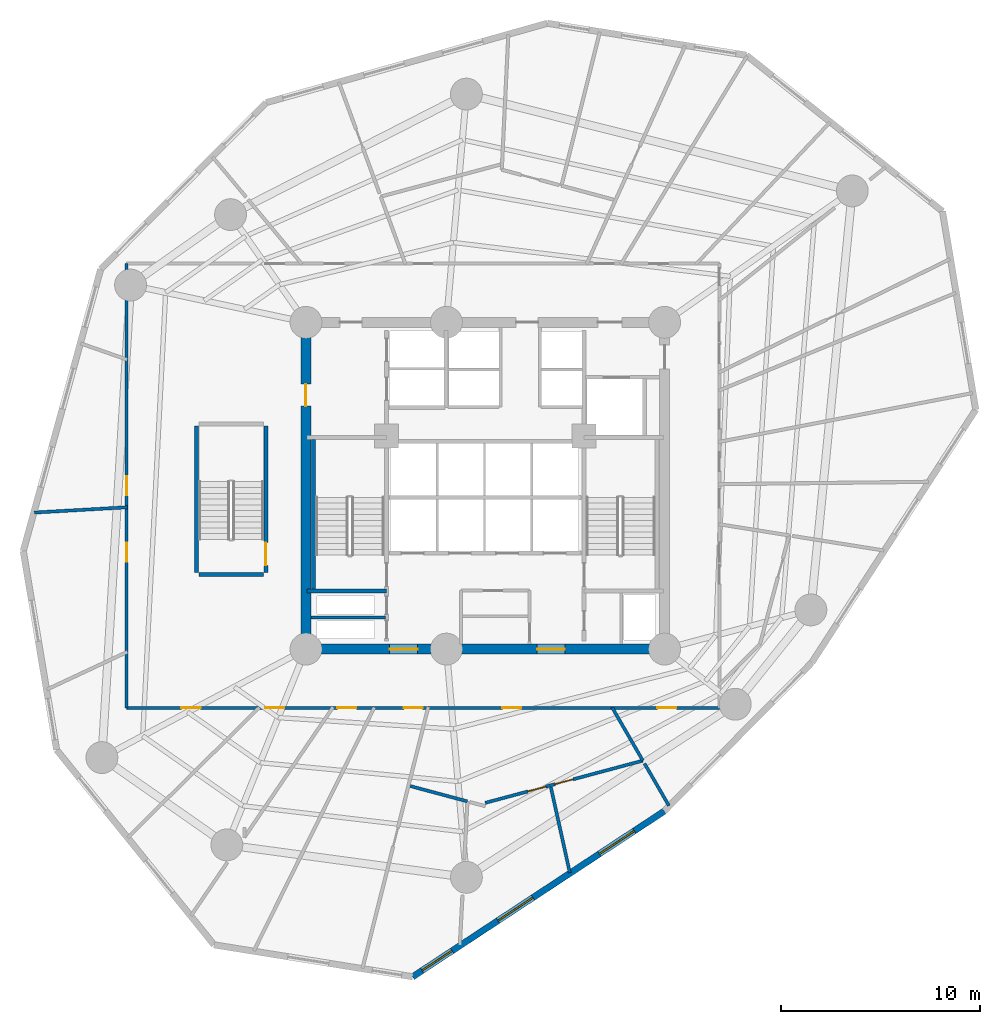
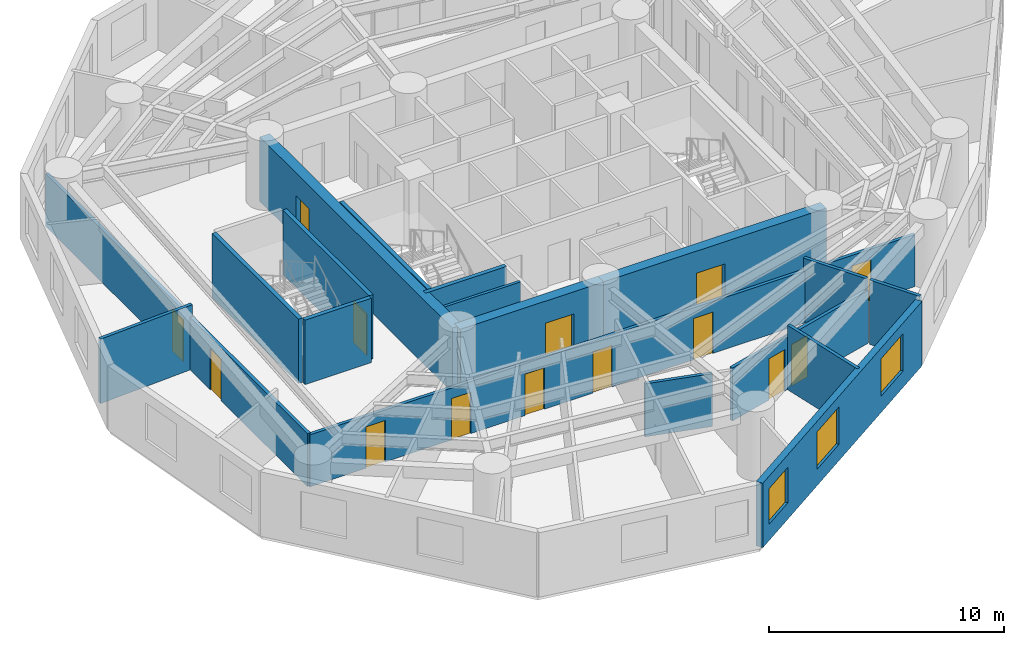
# One storey, part 3 of 8: 18 walls, 14 doors, 3 windows, 17 openings.
"""IFC4 building model written with IfcOpenShell, lengths in metres."""

from ifc_helpers import new_model, si_unit, direction, frame, frame_2d, origin, origin_with_axes, place, context, subcontext, project, spatial, rectangle, extrude, source, transform, mapped, material, layer, layer_set, type_object, element, fill, save


model = new_model("IFC4")

# Units and contexts
model_context = context("Model", 3, precision=1e-05, world=origin(), true_north=direction((0.0, 1.0)))
body_context = subcontext(model_context, "Body", "Model", "MODEL_VIEW")
ifc_project = project(units=[si_unit("LENGTHUNIT", "METRE"), si_unit("AREAUNIT", "SQUARE_METRE"), si_unit("VOLUMEUNIT", "CUBIC_METRE"), si_unit("PLANEANGLEUNIT", "RADIAN"), si_unit("MASSUNIT", "GRAM", prefix="KILO")], contexts=[model_context])

# Site, building, storey
site_placement = place(None, origin())
site = spatial("IfcSite", under=ifc_project, at=site_placement, CompositionType="ELEMENT")
building_placement = place(site_placement, origin())
building = spatial("IfcBuilding", under=site, at=building_placement, Name="Karkom Vertical University and Central Library", CompositionType="ELEMENT")
storey_placement = place(building_placement, frame((0.0, 0.0, 73.300048828125)))
storey = spatial("IfcBuildingStorey", under=building, at=storey_placement, Name="L19", CompositionType="ELEMENT", Elevation=73.300048828125)

# Wall, openings, windows
ifc_material_1 = material(Name="Brick-faced precast concrete C45/55", Category="masonry")
ifc_layer_1 = layer(ifc_material_1, 0.320068359375)
ifc_layer_set_1 = layer_set([ifc_layer_1], Name="Brick-faced precast concrete C45/55")
wall_type_1 = type_object("IfcWallType", Name="ENV-WL-BRK-320", PredefinedType="SOLIDWALL", material=ifc_layer_set_1)
wall_1_placement = place(storey_placement, frame((24.8544921875, 1.85009765625, 0.0), z_axis=(0.0, 0.0, 1.0), x_axis=(0.83528442149, 0.549818092841, 0.0)))
wall_1 = element("IfcWall", 1, at=wall_1_placement, inside=storey, type_object=wall_type_1, Name="Level 19 Brick-Faced Precast Facade Wall 06", PredefinedType="SOLIDWALL", context=body_context, shape_type="SweptSolid", body=[
    extrude(rectangle(XDim=15.1240234375, YDim=0.320068359375, at=frame_2d((7.56201171875, 0.0))), origin(), (0.0, 0.0, 1.0), 3.349853515625),
])
opening_1_placement = place(wall_1_placement, frame((0.571044921875, 0.0, 0.85009765625)))
opening_1 = element("IfcOpeningElement", 2, at=opening_1_placement, cuts=wall_1, Name="Opening WN-04", PredefinedType="OPENING", context=body_context, shape_type="SweptSolid", body=[
    extrude(rectangle(XDim=1.800048828125, YDim=1.85009765625, at=frame_2d((0.89990234375, 0.925048828125))), frame((0.0, 0.169921875, 0.0), z_axis=(0.0, -1.0, 0.0), x_axis=(1.0, 0.0, 0.0)), (0.0, 0.0, 1.0), 0.340087890625),
])
opening_2_placement = place(wall_1_placement, frame((5.129150390625, 0.0, 0.85009765625)))
opening_2 = element("IfcOpeningElement", 3, at=opening_2_placement, cuts=wall_1, Name="Opening WN-03", PredefinedType="OPENING", context=body_context, shape_type="SweptSolid", body=[
    extrude(rectangle(XDim=2.10009765625, YDim=1.949951171875, at=frame_2d((1.050048828125, 0.97509765625))), frame((0.0, 0.169921875, 0.0), z_axis=(0.0, -1.0, 0.0), x_axis=(1.0, 0.0, 0.0)), (0.0, 0.0, 1.0), 0.340087890625),
])
opening_3_placement = place(wall_1_placement, frame((11.219970703125, 0.0, 0.85009765625)))
opening_3 = element("IfcOpeningElement", 4, at=opening_3_placement, cuts=wall_1, Name="Opening WN-03", PredefinedType="OPENING", context=body_context, shape_type="SweptSolid", body=[
    extrude(rectangle(XDim=2.10009765625, YDim=1.949951171875, at=frame_2d((1.050048828125, 0.97509765625))), frame((0.0, 0.169921875, 0.0), z_axis=(0.0, -1.0, 0.0), x_axis=(1.0, 0.0, 0.0)), (0.0, 0.0, 1.0), 0.340087890625),
])
ifc_material_2 = material(Name="Aluminium thermal-break frame with solar-control IGU", Category="aluminium")
window_type_1 = type_object("IfcWindowType", Name="ENV-WIN-WN-03", PartitioningType="SINGLE_PANEL", PredefinedType="WINDOW", material=ifc_material_2)
shared_shape_1 = source(origin_with_axes(), body_context, "Body", "SweptSolid", [
    extrude(rectangle(XDim=2.10009765625, YDim=1.949951171875, at=frame_2d((1.050048828125, 0.97509765625))), frame((0.0, 0.030029296875, 0.0), z_axis=(0.0, -1.0, 0.0), x_axis=(1.0, 0.0, 0.0)), (0.0, 0.0, 1.0), 0.06005859375),
])
window_1_placement = place(opening_2_placement, origin())
window_1 = element("IfcWindow", 5, at=window_1_placement, inside=storey, type_object=window_type_1, Name="Level 19 Punched Window 6.2", OverallHeight=1.949951171875, OverallWidth=2.10009765625, PartitioningType="SINGLE_PANEL", PredefinedType="WINDOW", context=body_context, shape_type="MappedRepresentation", body=[
    mapped(shared_shape_1, transform((0.0, 0.0, 0.0), scale=1.0)),
])
fill(opening_2, window_1)
window_2_placement = place(opening_3_placement, origin())
window_2 = element("IfcWindow", 6, at=window_2_placement, inside=storey, type_object=window_type_1, Name="Level 19 Punched Window 6.3", OverallHeight=1.949951171875, OverallWidth=2.10009765625, PartitioningType="SINGLE_PANEL", PredefinedType="WINDOW", context=body_context, shape_type="MappedRepresentation", body=[
    mapped(shared_shape_1, transform((0.0, 0.0, 0.0), scale=1.0)),
])
fill(opening_3, window_2)
window_type_2 = type_object("IfcWindowType", Name="ENV-WIN-WN-04", PartitioningType="SINGLE_PANEL", PredefinedType="WINDOW", material=ifc_material_2)
shared_shape_2 = source(origin_with_axes(), body_context, "Body", "SweptSolid", [
    extrude(rectangle(XDim=1.800048828125, YDim=1.85009765625, at=frame_2d((0.89990234375, 0.925048828125))), frame((0.0, 0.030029296875, 0.0), z_axis=(0.0, -1.0, 0.0), x_axis=(1.0, 0.0, 0.0)), (0.0, 0.0, 1.0), 0.06005859375),
])
window_3_placement = place(opening_1_placement, origin())
window_3 = element("IfcWindow", 7, at=window_3_placement, inside=storey, type_object=window_type_2, Name="Level 19 Punched Window 6.1", OverallHeight=1.85009765625, OverallWidth=1.800048828125, PartitioningType="SINGLE_PANEL", PredefinedType="WINDOW", context=body_context, shape_type="MappedRepresentation", body=[
    mapped(shared_shape_2, transform((0.0, 0.0, 0.0), scale=1.0)),
])
fill(opening_1, window_3)

# Wall, openings, doors
ifc_material_3 = material(Name="Insulated metal-stud drywall 160mm", Category="gypsum")
ifc_layer_2 = layer(ifc_material_3, 0.159912109375)
ifc_layer_set_2 = layer_set([ifc_layer_2], Name="Insulated metal-stud drywall 160mm")
wall_type_2 = type_object("IfcWallType", Name="INT-WL-COR-160", PredefinedType="PARTITIONING", material=ifc_layer_set_2)
wall_2_placement = place(storey_placement, frame((40.25, 15.35009765625, 0.0), z_axis=(0.0, 0.0, 1.0), x_axis=(-1.0, 0.0, 0.0)))
wall_2 = element("IfcWall", 8, at=wall_2_placement, inside=storey, type_object=wall_type_2, Name="Level 19 Interior Partition Wall L19-CORW-CW-001", PredefinedType="PARTITIONING", context=body_context, shape_type="SweptSolid", body=[
    extrude(rectangle(XDim=29.75, YDim=0.159912109375, at=frame_2d((14.875, 0.0))), origin(), (0.0, 0.0, 1.0), 2.699951171875),
])
opening_4_placement = place(wall_2_placement, frame((26.037109375, 0.0, 0.0)))
opening_4 = element("IfcOpeningElement", 9, at=opening_4_placement, cuts=wall_2, Name="Opening FD-RM2", PredefinedType="OPENING", context=body_context, shape_type="SweptSolid", body=[
    extrude(rectangle(XDim=0.9599609375, YDim=2.14990234375, at=frame_2d((0.47998046875, 1.074951171875))), frame((0.0, 0.08984375, 0.0), z_axis=(0.0, -1.0, 0.0), x_axis=(1.0, 0.0, 0.0)), (0.0, 0.0, 1.0), 0.179931640625),
])
opening_5_placement = place(wall_2_placement, frame((21.83740234375, 0.0, 0.0)))
opening_5 = element("IfcOpeningElement", 10, at=opening_5_placement, cuts=wall_2, Name="Opening D-RM1", PredefinedType="OPENING", context=body_context, shape_type="SweptSolid", body=[
    extrude(rectangle(XDim=0.949951171875, YDim=2.14990234375, at=frame_2d((0.47509765625, 1.074951171875))), frame((0.0, 0.08984375, 0.0), z_axis=(0.0, -1.0, 0.0), x_axis=(1.0, 0.0, 0.0)), (0.0, 0.0, 1.0), 0.179931640625),
])
opening_6_placement = place(wall_2_placement, frame((18.222412109375, 0.0, 0.0)))
opening_6 = element("IfcOpeningElement", 11, at=opening_6_placement, cuts=wall_2, Name="Opening D-RM1", PredefinedType="OPENING", context=body_context, shape_type="SweptSolid", body=[
    extrude(rectangle(XDim=0.949951171875, YDim=2.14990234375, at=frame_2d((0.47509765625, 1.074951171875))), frame((0.0, 0.08984375, 0.0), z_axis=(0.0, -1.0, 0.0), x_axis=(1.0, 0.0, 0.0)), (0.0, 0.0, 1.0), 0.179931640625),
])
opening_7_placement = place(wall_2_placement, frame((14.889892578125, 0.0, 0.0)))
opening_7 = element("IfcOpeningElement", 12, at=opening_7_placement, cuts=wall_2, Name="Opening D-RM1", PredefinedType="OPENING", context=body_context, shape_type="SweptSolid", body=[
    extrude(rectangle(XDim=0.949951171875, YDim=2.14990234375, at=frame_2d((0.47509765625, 1.074951171875))), frame((0.0, 0.08984375, 0.0), z_axis=(0.0, -1.0, 0.0), x_axis=(1.0, 0.0, 0.0)), (0.0, 0.0, 1.0), 0.179931640625),
])
opening_8_placement = place(wall_2_placement, frame((9.9375, 0.0, 0.0)))
opening_8 = element("IfcOpeningElement", 13, at=opening_8_placement, cuts=wall_2, Name="Opening D-RM1", PredefinedType="OPENING", context=body_context, shape_type="SweptSolid", body=[
    extrude(rectangle(XDim=0.949951171875, YDim=2.14990234375, at=frame_2d((0.47509765625, 1.074951171875))), frame((0.0, 0.08984375, 0.0), z_axis=(0.0, -1.0, 0.0), x_axis=(1.0, 0.0, 0.0)), (0.0, 0.0, 1.0), 0.179931640625),
])
opening_9_placement = place(wall_2_placement, frame((2.160400390625, 0.0, 0.0)))
opening_9 = element("IfcOpeningElement", 14, at=opening_9_placement, cuts=wall_2, Name="Opening D-RM1", PredefinedType="OPENING", context=body_context, shape_type="SweptSolid", body=[
    extrude(rectangle(XDim=0.949951171875, YDim=2.14990234375, at=frame_2d((0.47509765625, 1.074951171875))), frame((0.0, 0.08984375, 0.0), z_axis=(0.0, -1.0, 0.0), x_axis=(1.0, 0.0, 0.0)), (0.0, 0.0, 1.0), 0.179931640625),
])
ifc_material_4 = material(Name="Fire-rated oak veneer door", Category="wood")
door_type_1 = type_object("IfcDoorType", Name="INT-DR-FRM2", OperationType="NOTDEFINED", PredefinedType="DOOR", material=ifc_material_4)
shared_shape_3 = source(origin_with_axes(), body_context, "Body", "SweptSolid", [
    extrude(rectangle(XDim=0.9599609375, YDim=2.14990234375, at=frame_2d((0.47998046875, 1.074951171875))), frame((0.0, 0.02490234375, 0.0), z_axis=(0.0, -1.0, 0.0), x_axis=(1.0, 0.0, 0.0)), (0.0, 0.0, 1.0), 0.050048828125),
])
door_1_placement = place(opening_4_placement, origin())
door_1 = element("IfcDoor", 15, at=door_1_placement, inside=storey, type_object=door_type_1, Name="Level 19 Room Entry Door 010", OperationType="SINGLE_SWING_LEFT", OverallHeight=2.14990234375, OverallWidth=0.9599609375, PredefinedType="DOOR", context=body_context, shape_type="MappedRepresentation", body=[
    mapped(shared_shape_3, transform((0.0, 0.0, 0.0), scale=1.0)),
])
fill(opening_4, door_1)
ifc_material_5 = material(Name="Solid-core oak veneer door", Category="wood")
door_type_2 = type_object("IfcDoorType", Name="INT-DR-RM1", OperationType="NOTDEFINED", PredefinedType="DOOR", material=ifc_material_5)
shared_shape_4 = source(origin_with_axes(), body_context, "Body", "SweptSolid", [
    extrude(rectangle(XDim=0.949951171875, YDim=2.14990234375, at=frame_2d((0.47509765625, 1.074951171875))), frame((0.0, 0.02490234375, 0.0), z_axis=(0.0, -1.0, 0.0), x_axis=(1.0, 0.0, 0.0)), (0.0, 0.0, 1.0), 0.050048828125),
])
door_2_placement = place(opening_5_placement, origin())
door_2 = element("IfcDoor", 16, at=door_2_placement, inside=storey, type_object=door_type_2, Name="Level 19 Room Entry Door 020", OperationType="SINGLE_SWING_RIGHT", OverallHeight=2.14990234375, OverallWidth=0.949951171875, PredefinedType="DOOR", context=body_context, shape_type="MappedRepresentation", body=[
    mapped(shared_shape_4, transform((0.0, 0.0, 0.0), scale=1.0)),
])
fill(opening_5, door_2)
door_3_placement = place(opening_6_placement, origin())
door_3 = element("IfcDoor", 17, at=door_3_placement, inside=storey, type_object=door_type_2, Name="Level 19 Room Entry Door 030", OperationType="SINGLE_SWING_LEFT", OverallHeight=2.14990234375, OverallWidth=0.949951171875, PredefinedType="DOOR", context=body_context, shape_type="MappedRepresentation", body=[
    mapped(shared_shape_4, transform((0.0, 0.0, 0.0), scale=1.0)),
])
fill(opening_6, door_3)
door_4_placement = place(opening_7_placement, origin())
door_4 = element("IfcDoor", 18, at=door_4_placement, inside=storey, type_object=door_type_2, Name="Level 19 Room Entry Door 040", OperationType="SINGLE_SWING_RIGHT", OverallHeight=2.14990234375, OverallWidth=0.949951171875, PredefinedType="DOOR", context=body_context, shape_type="MappedRepresentation", body=[
    mapped(shared_shape_4, transform((0.0, 0.0, 0.0), scale=1.0)),
])
fill(opening_7, door_4)
door_5_placement = place(opening_8_placement, origin())
door_5 = element("IfcDoor", 19, at=door_5_placement, inside=storey, type_object=door_type_2, Name="Level 19 Room Entry Door 070", OperationType="SINGLE_SWING_LEFT", OverallHeight=2.14990234375, OverallWidth=0.949951171875, PredefinedType="DOOR", context=body_context, shape_type="MappedRepresentation", body=[
    mapped(shared_shape_4, transform((0.0, 0.0, 0.0), scale=1.0)),
])
fill(opening_8, door_5)
door_6_placement = place(opening_9_placement, origin())
door_6 = element("IfcDoor", 20, at=door_6_placement, inside=storey, type_object=door_type_2, Name="Level 19 Room Entry Door 090", OperationType="SINGLE_SWING_RIGHT", OverallHeight=2.14990234375, OverallWidth=0.949951171875, PredefinedType="DOOR", context=body_context, shape_type="MappedRepresentation", body=[
    mapped(shared_shape_4, transform((0.0, 0.0, 0.0), scale=1.0)),
])
fill(opening_9, door_6)

wall_3_placement = place(storey_placement, frame((10.5, 15.35009765625, 0.0), z_axis=(0.0, 0.0, 1.0), x_axis=(0.0, 1.0, 0.0)))
wall_3 = element("IfcWall", 21, at=wall_3_placement, inside=storey, type_object=wall_type_2, Name="Level 19 Interior Partition Wall L19-CORW-CW-002", PredefinedType="PARTITIONING", context=body_context, shape_type="SweptSolid", body=[
    extrude(rectangle(XDim=22.2998046875, YDim=0.159912109375, at=frame_2d((11.14990234375, 0.0))), origin(), (0.0, 0.0, 1.0), 2.75),
])
opening_10_placement = place(wall_3_placement, frame((7.330078125, 0.0, 0.0)))
opening_10 = element("IfcOpeningElement", 22, at=opening_10_placement, cuts=wall_3, Name="Opening D-RM1", PredefinedType="OPENING", context=body_context, shape_type="SweptSolid", body=[
    extrude(rectangle(XDim=0.949951171875, YDim=2.14990234375, at=frame_2d((0.47509765625, 1.074951171875))), frame((0.0, 0.08984375, 0.0), z_axis=(0.0, -1.0, 0.0), x_axis=(1.0, 0.0, 0.0)), (0.0, 0.0, 1.0), 0.179931640625),
])
opening_11_placement = place(wall_3_placement, frame((10.675048828125, 0.0, 0.0)))
opening_11 = element("IfcOpeningElement", 23, at=opening_11_placement, cuts=wall_3, Name="Opening D-RM1", PredefinedType="OPENING", context=body_context, shape_type="SweptSolid", body=[
    extrude(rectangle(XDim=0.949951171875, YDim=2.14990234375, at=frame_2d((0.47509765625, 1.074951171875))), frame((0.0, 0.08984375, 0.0), z_axis=(0.0, -1.0, 0.0), x_axis=(1.0, 0.0, 0.0)), (0.0, 0.0, 1.0), 0.179931640625),
])
door_7_placement = place(opening_10_placement, origin())
door_7 = element("IfcDoor", 24, at=door_7_placement, inside=storey, type_object=door_type_2, Name="Level 19 Room Entry Door 000", OperationType="SINGLE_SWING_RIGHT", OverallHeight=2.14990234375, OverallWidth=0.949951171875, PredefinedType="DOOR", context=body_context, shape_type="MappedRepresentation", body=[
    mapped(shared_shape_4, transform((0.0, 0.0, 0.0), scale=1.0)),
])
fill(opening_10, door_7)
door_8_placement = place(opening_11_placement, origin())
door_8 = element("IfcDoor", 25, at=door_8_placement, inside=storey, type_object=door_type_2, Name="Level 19 Room Entry Door 260", OperationType="SINGLE_SWING_LEFT", OverallHeight=2.14990234375, OverallWidth=0.949951171875, PredefinedType="DOOR", context=body_context, shape_type="MappedRepresentation", body=[
    mapped(shared_shape_4, transform((0.0, 0.0, 0.0), scale=1.0)),
])
fill(opening_11, door_8)

wall_4_placement = place(storey_placement, frame((36.4091796875, 12.7021484375, 0.0), z_axis=(0.0, 0.0, 1.0), x_axis=(-0.965921965282, -0.258833454149, 0.0)))
wall_4 = element("IfcWall", 26, at=wall_4_placement, inside=storey, type_object=wall_type_2, Name="Level 19 Interior Partition Wall L19-PW-015", PredefinedType="PARTITIONING", context=body_context, shape_type="SweptSolid", body=[
    extrude(rectangle(XDim=8.188232421875, YDim=0.159912109375, at=frame_2d((4.09423828125, 0.0))), origin(), (0.0, 0.0, 1.0), 2.75),
])
opening_12_placement = place(wall_4_placement, frame((5.037353515625, 0.0, 0.0)))
opening_12 = element("IfcOpeningElement", 27, at=opening_12_placement, cuts=wall_4, Name="Opening D-RM1", PredefinedType="OPENING", context=body_context, shape_type="SweptSolid", body=[
    extrude(rectangle(XDim=0.949951171875, YDim=2.14990234375, at=frame_2d((0.47509765625, 1.074951171875))), frame((0.0, 0.08984375, 0.0), z_axis=(0.0, -1.0, 0.0), x_axis=(1.0, 0.0, 0.0)), (0.0, 0.0, 1.0), 0.179931640625),
])
opening_13_placement = place(wall_4_placement, frame((3.619140625, 0.0, 0.0)))
opening_13 = element("IfcOpeningElement", 28, at=opening_13_placement, cuts=wall_4, Name="Opening D-RM1", PredefinedType="OPENING", context=body_context, shape_type="SweptSolid", body=[
    extrude(rectangle(XDim=0.949951171875, YDim=2.14990234375, at=frame_2d((0.47509765625, 1.074951171875))), frame((0.0, 0.08984375, 0.0), z_axis=(0.0, -1.0, 0.0), x_axis=(1.0, 0.0, 0.0)), (0.0, 0.0, 1.0), 0.179931640625),
])
door_9_placement = place(opening_12_placement, origin())
door_9 = element("IfcDoor", 29, at=door_9_placement, inside=storey, type_object=door_type_2, Name="Level 19 Room Entry Door 060", OperationType="SINGLE_SWING_LEFT", OverallHeight=2.14990234375, OverallWidth=0.949951171875, PredefinedType="DOOR", context=body_context, shape_type="MappedRepresentation", body=[
    mapped(shared_shape_4, transform((0.0, 0.0, 0.0), scale=1.0)),
])
fill(opening_12, door_9)
door_10_placement = place(opening_13_placement, origin())
door_10 = element("IfcDoor", 30, at=door_10_placement, inside=storey, type_object=door_type_2, Name="Level 19 Room Entry Door 080", OperationType="SINGLE_SWING_RIGHT", OverallHeight=2.14990234375, OverallWidth=0.949951171875, PredefinedType="DOOR", context=body_context, shape_type="MappedRepresentation", body=[
    mapped(shared_shape_4, transform((0.0, 0.0, 0.0), scale=1.0)),
])
fill(opening_13, door_10)

# Walls
wall_5_placement = place(storey_placement, frame((5.864990234375, 25.15234375, 0.0), z_axis=(0.0, 0.0, 1.0), x_axis=(0.998384444632, 0.056819897188, 0.0)))
element("IfcWall", 31, at=wall_5_placement, inside=storey, type_object=wall_type_2, Name="Level 19 Interior Partition Wall L19-PW-002", PredefinedType="PARTITIONING", context=body_context, shape_type="SweptSolid", body=[
    extrude(rectangle(XDim=4.687744140625, YDim=0.159912109375, at=frame_2d((2.34375, 0.0))), origin(), (0.0, 0.0, 1.0), 3.349853515625),
])
wall_6_placement = place(storey_placement, frame((31.790771484375, 11.37451171875, 0.0), z_axis=(0.0, 0.0, 1.0), x_axis=(0.216360784247, -0.976313479903, 0.0)))
element("IfcWall", 32, at=wall_6_placement, inside=storey, type_object=wall_type_2, Name="Level 19 Interior Partition Wall L19-PW-014", PredefinedType="PARTITIONING", context=body_context, shape_type="SweptSolid", body=[
    extrude(rectangle(XDim=4.40185546875, YDim=0.159912109375, at=frame_2d((2.200927734375, 0.0))), origin(), (0.0, 0.0, 1.0), 3.349853515625),
])
wall_7_placement = place(storey_placement, frame((34.863037109375, 15.3759765625, 0.0), z_axis=(0.0, 0.0, 1.0), x_axis=(0.500584406254, -0.865687733664, 0.0)))
element("IfcWall", 33, at=wall_7_placement, inside=storey, type_object=wall_type_2, Name="Level 19 Interior Partition Wall L19-PW-016", PredefinedType="PARTITIONING", context=body_context, shape_type="SweptSolid", body=[
    extrude(rectangle(XDim=3.088623046875, YDim=0.159912109375, at=frame_2d((1.54443359375, 0.0))), origin(), (0.0, 0.0, 1.0), 3.349853515625),
])
wall_8_placement = place(storey_placement, frame((24.730712890625, 11.427001953125, 0.0), z_axis=(0.0, 0.0, 1.0), x_axis=(0.965930465697, -0.258801729975, 0.0)))
element("IfcWall", 34, at=wall_8_placement, inside=storey, type_object=wall_type_2, Name="Level 19 Interior Partition Wall L19-PW-011", PredefinedType="PARTITIONING", context=body_context, shape_type="SweptSolid", body=[
    extrude(rectangle(XDim=2.974365234375, YDim=0.159912109375, at=frame_2d((1.4873046875, 0.0))), origin(), (0.0, 0.0, 1.0), 2.75),
])
wall_9_placement = place(storey_placement, frame((36.4921875, 12.55859375, 0.0), z_axis=(0.0, 0.0, 1.0), x_axis=(0.500596297075, -0.865680857681, 0.0)))
element("IfcWall", 35, at=wall_9_placement, inside=storey, type_object=wall_type_2, Name="Level 19 Interior Partition Wall L19-PW-017", PredefinedType="PARTITIONING", context=body_context, shape_type="SweptSolid", body=[
    extrude(rectangle(XDim=2.4501953125, YDim=0.159912109375, at=frame_2d((1.22509765625, 0.0))), origin(), (0.0, 0.0, 1.0), 3.349853515625),
])
ifc_material_6 = material(Name="Metal-stud gypsum partition 140mm", Category="gypsum")
ifc_layer_3 = layer(ifc_material_6, 0.139892578125)
ifc_layer_set_3 = layer_set([ifc_layer_3], Name="Metal-stud gypsum partition 140mm")
wall_type_3 = type_object("IfcWallType", Name="INT-WL-SUB-140H", PredefinedType="PARTITIONING", material=ifc_layer_set_3)
wall_10_placement = place(storey_placement, frame((19.757080078125, 19.889892578125, 0.0), z_axis=(0.0, 0.0, 1.0), x_axis=(1.0, 0.0, 0.0)))
element("IfcWall", 36, at=wall_10_placement, inside=storey, type_object=wall_type_3, Name="Level 19 Interior Partition Wall L19-CW-RIS-W", PredefinedType="PARTITIONING", context=body_context, shape_type="SweptSolid", body=[
    extrude(rectangle(XDim=3.7392578125, YDim=0.139892578125, at=frame_2d((1.86962890625, 0.0))), origin(), (0.0, 0.0, 1.0), 3.349853515625),
])

# Wall, opening, door
ifc_material_7 = material(Name="Concrete C50/60", Category="concrete")
ifc_layer_4 = layer(ifc_material_7, 0.5)
ifc_layer_set_4 = layer_set([ifc_layer_4], Name="Concrete C50/60")
wall_type_4 = type_object("IfcWallType", Name="STR-WL-CW-500", PredefinedType="SHEAR", material=ifc_layer_set_4)
wall_11_placement = place(storey_placement, frame((19.5, 18.300048828125, 0.0), z_axis=(0.0, 0.0, 1.0), x_axis=(1.0, 0.0, 0.0)))
wall_11 = element("IfcWall", 37, at=wall_11_placement, inside=storey, type_object=wall_type_4, Name="Level 19 Central Core Shear Wall SW1", PredefinedType="SHEAR", context=body_context, shape_type="SweptSolid", body=[
    extrude(rectangle(XDim=7.050048828125, YDim=0.5, at=frame_2d((3.52490234375, 0.0))), origin(), (0.0, 0.0, 1.0), 3.349853515625),
])
opening_14_placement = place(wall_11_placement, frame((4.199951171875, 0.0, 0.0)))
opening_14 = element("IfcOpeningElement", 38, at=opening_14_placement, cuts=wall_11, Name="Opening FD-CLB", PredefinedType="OPENING", context=body_context, shape_type="SweptSolid", body=[
    extrude(rectangle(XDim=1.39990234375, YDim=2.199951171875, at=frame_2d((0.699951171875, 1.10009765625))), frame((0.0, 0.260009765625, 0.0), z_axis=(0.0, -1.0, 0.0), x_axis=(1.0, 0.0, 0.0)), (0.0, 0.0, 1.0), 0.52001953125),
])
ifc_material_8 = material(Name="Painted steel fire door", Category="steel")
door_type_3 = type_object("IfcDoorType", Name="INT-DR-CLB", OperationType="DOUBLE_DOOR_SINGLE_SWING", PredefinedType="DOOR", material=ifc_material_8)
shared_shape_5 = source(origin_with_axes(), body_context, "Body", "SweptSolid", [
    extrude(rectangle(XDim=1.39990234375, YDim=2.199951171875, at=frame_2d((0.699951171875, 1.10009765625))), frame((0.0, 0.02490234375, 0.0), z_axis=(0.0, -1.0, 0.0), x_axis=(1.0, 0.0, 0.0)), (0.0, 0.0, 1.0), 0.050048828125),
])
door_11_placement = place(opening_14_placement, origin())
door_11 = element("IfcDoor", 39, at=door_11_placement, inside=storey, type_object=door_type_3, Name="Level 19 South Core Lobby West Exit Door", OperationType="DOUBLE_DOOR_SINGLE_SWING", OverallHeight=2.199951171875, OverallWidth=1.39990234375, PredefinedType="DOOR", context=body_context, shape_type="MappedRepresentation", body=[
    mapped(shared_shape_5, transform((0.0, 0.0, 0.0), scale=1.0)),
])
fill(opening_14, door_11)

wall_12_placement = place(storey_placement, frame((26.550048828125, 18.300048828125, 0.0), z_axis=(0.0, 0.0, 1.0), x_axis=(1.0, 0.0, 0.0)))
wall_12 = element("IfcWall", 40, at=wall_12_placement, inside=storey, type_object=wall_type_4, Name="Level 19 Central Core Shear Wall SW2", PredefinedType="SHEAR", context=body_context, shape_type="SweptSolid", body=[
    extrude(rectangle(XDim=10.949951171875, YDim=0.5, at=frame_2d((5.47509765625, 0.0))), origin(), (0.0, 0.0, 1.0), 3.349853515625),
])
opening_15_placement = place(wall_12_placement, frame((4.550048828125, 0.0, 0.0)))
opening_15 = element("IfcOpeningElement", 41, at=opening_15_placement, cuts=wall_12, Name="Opening FD-CLB", PredefinedType="OPENING", context=body_context, shape_type="SweptSolid", body=[
    extrude(rectangle(XDim=1.39990234375, YDim=2.199951171875, at=frame_2d((0.699951171875, 1.10009765625))), frame((0.0, 0.260009765625, 0.0), z_axis=(0.0, -1.0, 0.0), x_axis=(1.0, 0.0, 0.0)), (0.0, 0.0, 1.0), 0.52001953125),
])
door_12_placement = place(opening_15_placement, origin())
door_12 = element("IfcDoor", 42, at=door_12_placement, inside=storey, type_object=door_type_3, Name="Level 19 South Core Lobby East Exit Door", OperationType="DOUBLE_DOOR_SINGLE_SWING", OverallHeight=2.199951171875, OverallWidth=1.39990234375, PredefinedType="DOOR", context=body_context, shape_type="MappedRepresentation", body=[
    mapped(shared_shape_5, transform((0.0, 0.0, 0.0), scale=1.0)),
])
fill(opening_15, door_12)

wall_13_placement = place(storey_placement, frame((19.5, 34.699951171875, 0.0), z_axis=(0.0, 0.0, 1.0), x_axis=(0.0, -1.0, 0.0)))
wall_13 = element("IfcWall", 43, at=wall_13_placement, inside=storey, type_object=wall_type_4, Name="Level 19 Central Core Shear Wall WW", PredefinedType="SHEAR", context=body_context, shape_type="SweptSolid", body=[
    extrude(rectangle(XDim=16.39990234375, YDim=0.5, at=frame_2d((8.199951171875, 0.0))), origin(), (0.0, 0.0, 1.0), 3.349853515625),
])
opening_16_placement = place(wall_13_placement, frame((3.10009765625, 0.0, 0.0)))
opening_16 = element("IfcOpeningElement", 44, at=opening_16_placement, cuts=wall_13, Name="Opening FD-FFL", PredefinedType="OPENING", context=body_context, shape_type="SweptSolid", body=[
    extrude(rectangle(XDim=1.10009765625, YDim=2.14990234375, at=frame_2d((0.550048828125, 1.074951171875))), frame((0.0, 0.260009765625, 0.0), z_axis=(0.0, -1.0, 0.0), x_axis=(1.0, 0.0, 0.0)), (0.0, 0.0, 1.0), 0.52001953125),
])
ifc_material_9 = material(Name="Painted steel smoke-seal fire door", Category="steel")
door_type_4 = type_object("IfcDoorType", Name="INT-DR-FFL", OperationType="NOTDEFINED", PredefinedType="DOOR", material=ifc_material_9)
shared_shape_6 = source(origin_with_axes(), body_context, "Body", "SweptSolid", [
    extrude(rectangle(XDim=1.10009765625, YDim=2.14990234375, at=frame_2d((0.550048828125, 1.074951171875))), frame((0.0, 0.02490234375, 0.0), z_axis=(0.0, -1.0, 0.0), x_axis=(1.0, 0.0, 0.0)), (0.0, 0.0, 1.0), 0.050048828125),
])
door_13_placement = place(opening_16_placement, origin())
door_13 = element("IfcDoor", 45, at=door_13_placement, inside=storey, type_object=door_type_4, Name="Level 19 West Corridor Firefighting Lobby Door", OperationType="SINGLE_SWING_RIGHT", OverallHeight=2.14990234375, OverallWidth=1.10009765625, PredefinedType="DOOR", context=body_context, shape_type="MappedRepresentation", body=[
    mapped(shared_shape_6, transform((0.0, 0.0, 0.0), scale=1.0)),
])
fill(opening_16, door_13)

# Walls
ifc_material_10 = material(Name="Concrete C45/55", Category="concrete")
ifc_layer_5 = layer(ifc_material_10, 0.199951171875)
ifc_layer_set_5 = layer_set([ifc_layer_5], Name="Concrete C45/55")
wall_type_5 = type_object("IfcWallType", Name="STR-WL-ST-200", PredefinedType="SHEAR", material=ifc_layer_set_5)
wall_14_placement = place(storey_placement, frame((19.875, 21.320068359375, 0.0), z_axis=(0.0, 0.0, 1.0), x_axis=(0.0, 1.0, 0.0)))
element("IfcWall", 46, at=wall_14_placement, inside=storey, type_object=wall_type_5, Name="Level 19 Core Shaft Wall L19-CW-ST1-W", PredefinedType="SHEAR", context=body_context, shape_type="SweptSolid", body=[
    extrude(rectangle(XDim=7.5, YDim=0.199951171875, at=frame_2d((3.75, 0.0))), origin(), (0.0, 0.0, 1.0), 3.349853515625),
])
wall_15_placement = place(storey_placement, frame((14.014892578125, 22.14990234375, 0.0), z_axis=(0.0, 0.0, 1.0), x_axis=(0.0, 1.0, 0.0)))
element("IfcWall", 47, at=wall_15_placement, inside=storey, type_object=wall_type_5, Name="Level 19 Core Shaft Wall L19-W-ST3-W", PredefinedType="SHEAR", context=body_context, shape_type="SweptSolid", body=[
    extrude(rectangle(XDim=7.35009765625, YDim=0.199951171875, at=frame_2d((3.675048828125, 0.0))), origin(), (0.0, 0.0, 1.0), 3.349853515625),
])

# Wall, opening, door
wall_16_placement = place(storey_placement, frame((17.485107421875, 22.14990234375, 0.0), z_axis=(0.0, 0.0, 1.0), x_axis=(0.0, 1.0, 0.0)))
wall_16 = element("IfcWall", 48, at=wall_16_placement, inside=storey, type_object=wall_type_5, Name="Level 19 Core Shaft Wall L19-W-ST3-E", PredefinedType="SHEAR", context=body_context, shape_type="SweptSolid", body=[
    extrude(rectangle(XDim=7.35009765625, YDim=0.199951171875, at=frame_2d((3.675048828125, 0.0))), origin(), (0.0, 0.0, 1.0), 3.349853515625),
])
opening_17_placement = place(wall_16_placement, frame((0.35009765625, 0.0, 0.0)))
opening_17 = element("IfcOpeningElement", 49, at=opening_17_placement, cuts=wall_16, Name="Opening FD-ST1", PredefinedType="OPENING", context=body_context, shape_type="SweptSolid", body=[
    extrude(rectangle(XDim=1.14990234375, YDim=2.14990234375, at=frame_2d((0.574951171875, 1.074951171875))), frame((0.0, 0.10986328125, 0.0), z_axis=(0.0, -1.0, 0.0), x_axis=(1.0, 0.0, 0.0)), (0.0, 0.0, 1.0), 0.219970703125),
])
ifc_material_11 = material(Name="Painted steel acoustic fire door", Category="steel")
door_type_5 = type_object("IfcDoorType", Name="INT-DR-ST1", OperationType="NOTDEFINED", PredefinedType="DOOR", material=ifc_material_11)
shared_shape_7 = source(origin_with_axes(), body_context, "Body", "SweptSolid", [
    extrude(rectangle(XDim=1.14990234375, YDim=2.14990234375, at=frame_2d((0.574951171875, 1.074951171875))), frame((0.0, 0.02490234375, 0.0), z_axis=(0.0, -1.0, 0.0), x_axis=(1.0, 0.0, 0.0)), (0.0, 0.0, 1.0), 0.050048828125),
])
door_14_placement = place(opening_17_placement, origin())
door_14 = element("IfcDoor", 50, at=door_14_placement, inside=storey, type_object=door_type_5, Name="Level 19 Stair ST-3 Fire Door", OperationType="SINGLE_SWING_LEFT", OverallHeight=2.14990234375, OverallWidth=1.14990234375, PredefinedType="DOOR", context=body_context, shape_type="MappedRepresentation", body=[
    mapped(shared_shape_7, transform((0.0, 0.0, 0.0), scale=1.0)),
])
fill(opening_17, door_14)

# Walls
wall_17_placement = place(storey_placement, frame((19.550048828125, 21.215087890625, 0.0), z_axis=(0.0, 0.0, 1.0), x_axis=(1.0, 0.0, 0.0)))
element("IfcWall", 51, at=wall_17_placement, inside=storey, type_object=wall_type_5, Name="Level 19 Core Shaft Wall L19-CW-ST1-S", PredefinedType="SHEAR", context=body_context, shape_type="SweptSolid", body=[
    extrude(rectangle(XDim=3.994873046875, YDim=0.199951171875, at=frame_2d((1.99755859375, 0.0))), origin(), (0.0, 0.0, 1.0), 3.349853515625),
])
wall_18_placement = place(storey_placement, frame((14.1201171875, 22.044921875, 0.0), z_axis=(0.0, 0.0, 1.0), x_axis=(1.0, 0.0, 0.0)))
element("IfcWall", 52, at=wall_18_placement, inside=storey, type_object=wall_type_5, Name="Level 19 Core Shaft Wall L19-W-ST3-S", PredefinedType="SHEAR", context=body_context, shape_type="SweptSolid", body=[
    extrude(rectangle(XDim=3.259765625, YDim=0.199951171875, at=frame_2d((1.6298828125, 0.0))), origin(), (0.0, 0.0, 1.0), 3.349853515625),
])

save(model, "model.ifc")
